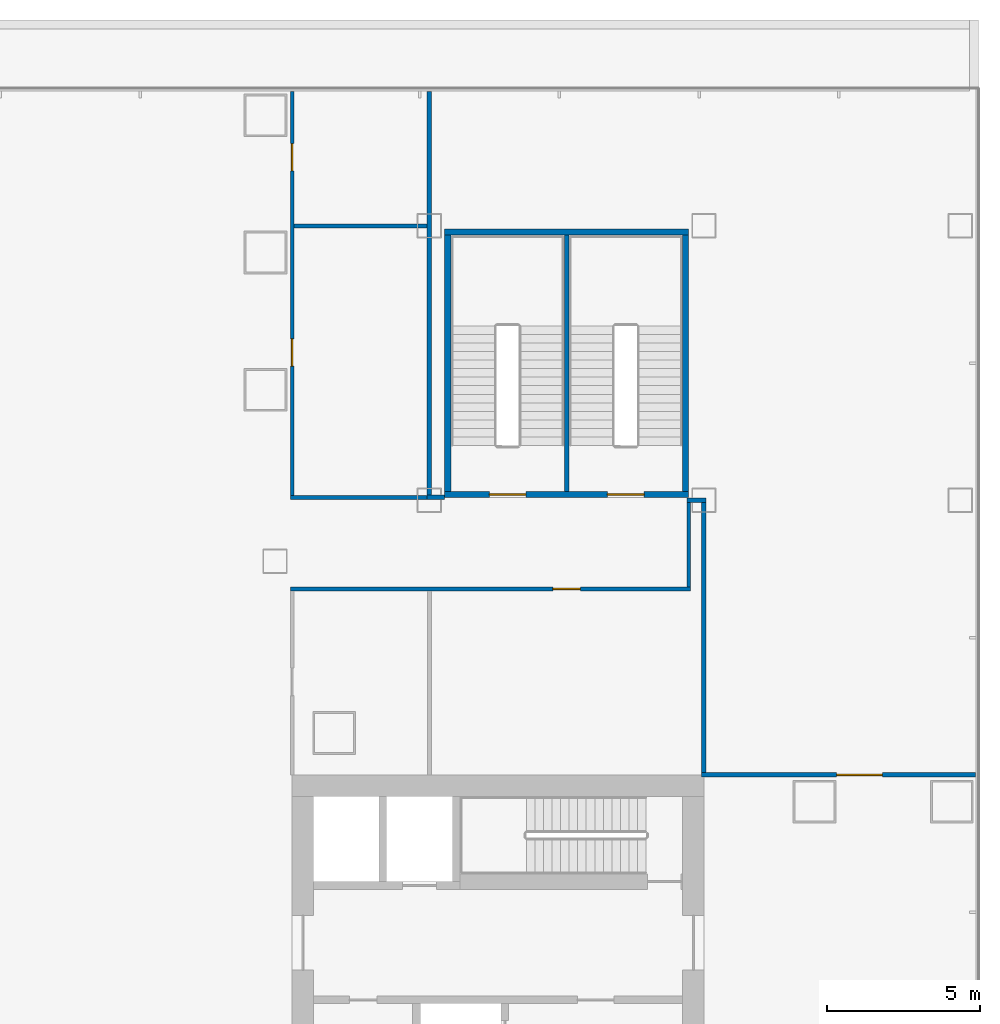
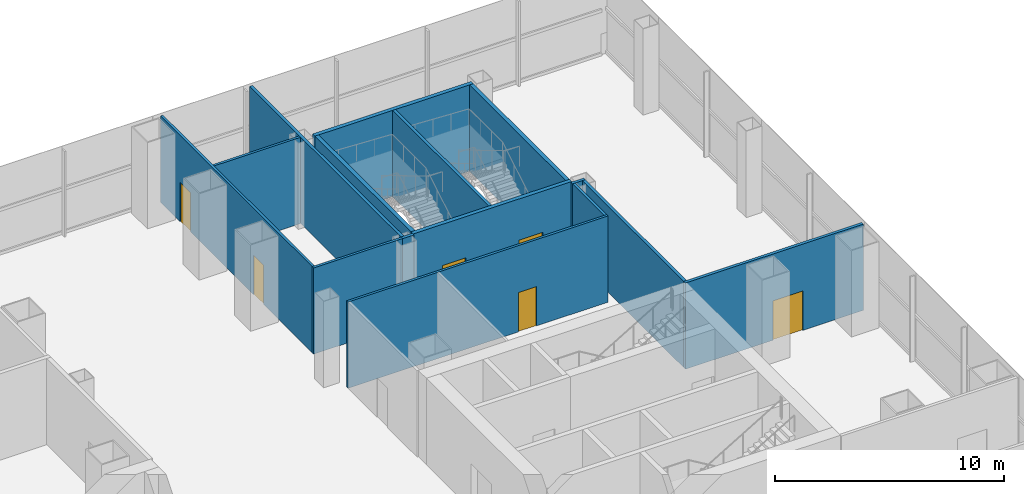
# One storey, part 26 of 33: 15 walls, 6 doors, 6 openings.
"""IFC4 building model written with IfcOpenShell, lengths in metres."""

import ifcopenshell
import ifcopenshell.guid

model = None  # the IFC model being written
_history = None  # IfcOwnerHistory: only IFC2X3 demands one
_inside = {}  # id of a spatial element -> (the spatial element, [elements in it])
_under = {}  # id of a project, library or spatial element -> (it, [spatial elements below it])
_declared = {}  # id of a project -> (the project, [libraries it declares])
_typed = {}  # id of a type object -> (the type object, [elements of that type])
_made_of = {}  # id of a material, layer set ... -> (it, [elements and type objects made of it])


def new_model(schema):
    """Start an empty IFC model of exactly this schema.

    Asked for "IFC4X3", IfcOpenShell would pick the latest addendum, in which some entities
    have other attributes; the version numbers below select the first issue.
    IFC2X3 requires an IfcOwnerHistory on every rooted entity: one is made here for all.
    """
    global model, _history
    if schema == "IFC4X3":
        model = ifcopenshell.file(schema_version=(4, 3, 0, 0))
    else:
        model = ifcopenshell.file(schema=schema)
    _inside.clear()
    _under.clear()
    _declared.clear()
    _typed.clear()
    _made_of.clear()
    _history = None
    if model.schema == "IFC2X3":
        org = make("IfcOrganization", Name="unknown")
        user = make(
            "IfcPersonAndOrganization",
            ThePerson=make("IfcPerson", FamilyName="unknown"),
            TheOrganization=org,
        )
        app = make(
            "IfcApplication",
            ApplicationDeveloper=org,
            Version="unknown",
            ApplicationFullName="unknown",
            ApplicationIdentifier="unknown",
        )
        _history = make(
            "IfcOwnerHistory",
            OwningUser=user,
            OwningApplication=app,
            ChangeAction="ADDED",
            CreationDate=0,
        )
    return model


def make(cls, **values):
    """One entity of the class cls with the attributes given. An attribute that is None is left unset."""
    return model.create_entity(
        cls, **{name: value for name, value in values.items() if value is not None}
    )


def rooted(cls, **values):
    """An entity with a GlobalId (a new one), such as an element, a storey or a relation."""
    return make(cls, GlobalId=ifcopenshell.guid.new(), OwnerHistory=_history, **values)


def si_unit(unit_type, name, prefix=None):
    """IfcSIUnit, for example si_unit("LENGTHUNIT", "METRE", prefix="MILLI")."""
    return make("IfcSIUnit", UnitType=unit_type, Prefix=prefix, Name=name)


def assignment(units):
    """IfcUnitAssignment: the units of a project."""
    return None if units is None else make("IfcUnitAssignment", Units=units)


def point(xyz):
    """IfcCartesianPoint."""
    return None if xyz is None else make("IfcCartesianPoint", Coordinates=xyz)


def direction(xyz):
    """IfcDirection."""
    return None if xyz is None else make("IfcDirection", DirectionRatios=xyz)


def frame(location, z_axis=None, x_axis=None):
    """IfcAxis2Placement3D, a coordinate frame: its origin and axes. An axis left out is left unset."""
    return make(
        "IfcAxis2Placement3D",
        Location=point(location),
        Axis=direction(z_axis),
        RefDirection=direction(x_axis),
    )


def frame_2d(location, x_axis=None):
    """IfcAxis2Placement2D, a coordinate frame in the plane: its origin and x axis."""
    return make(
        "IfcAxis2Placement2D", Location=point(location), RefDirection=direction(x_axis)
    )


def origin():
    """The frame at (0, 0, 0) with its axes left unset."""
    return frame((0.0, 0.0, 0.0))


def place(relative_to, where):
    """IfcLocalPlacement: puts the frame where relative to a parent placement (None: the world)."""
    return make(
        "IfcLocalPlacement", PlacementRelTo=relative_to, RelativePlacement=where
    )


def context(
    kind, dimensions, precision=None, world=None, true_north=None, identifier=None
):
    """IfcGeometricRepresentationContext, for example the 3D "Model" context."""
    return make(
        "IfcGeometricRepresentationContext",
        ContextIdentifier=identifier,
        ContextType=kind,
        CoordinateSpaceDimension=dimensions,
        Precision=precision,
        WorldCoordinateSystem=world,
        TrueNorth=true_north,
    )


def subcontext(parent, identifier, kind, view, scale=None):
    """IfcGeometricRepresentationSubContext, for example "Body" below "Model"."""
    return make(
        "IfcGeometricRepresentationSubContext",
        ContextIdentifier=identifier,
        ContextType=kind,
        ParentContext=parent,
        TargetScale=scale,
        TargetView=view,
    )


def project(units=None, contexts=None):
    """IfcProject with its units and contexts."""
    return rooted(
        "IfcProject",
        Name="project",
        RepresentationContexts=contexts,
        UnitsInContext=assignment(units),
    )


def spatial(cls, under=None, at=None, **own):
    """A site, building, storey or space (cls), placed at a placement, below another one or the project."""
    s = rooted(cls, ObjectPlacement=at, **own)
    if under is not None:
        _under.setdefault(under.id(), (under, []))[1].append(s)
    return s


def profile(cls, at=None, kind="AREA", **sizes):
    """A parametric profile (cls). Its sizes go by their IFC names, for example OverallWidth=200.0."""
    return make(cls, ProfileType=kind, Position=at, **sizes)


def rectangle(**sizes):
    """IfcRectangleProfileDef."""
    return profile("IfcRectangleProfileDef", **sizes)


def extrude(swept, where, along, depth):
    """IfcExtrudedAreaSolid: the profile swept, set in the frame where, extruded along a direction by depth."""
    return make(
        "IfcExtrudedAreaSolid",
        SweptArea=swept,
        Position=where,
        ExtrudedDirection=direction(along),
        Depth=depth,
    )


def shape(context_of_items, identifier, shape_type, items):
    """IfcShapeRepresentation: the items that make up one representation, for example the "Body"."""
    return make(
        "IfcShapeRepresentation",
        ContextOfItems=context_of_items,
        RepresentationIdentifier=identifier,
        RepresentationType=shape_type,
        Items=items,
    )


def material(Name=None, Category=None):
    """IfcMaterial."""
    return make("IfcMaterial", Name=Name, Category=Category)


def layer(
    of_material, thickness, ventilated=None, Name=None, Category=None, Priority=None
):
    """IfcMaterialLayer: one layer of a wall or slab, of a material (None: an air gap)."""
    return make(
        "IfcMaterialLayer",
        Material=of_material,
        LayerThickness=thickness,
        IsVentilated=ventilated,
        Name=Name,
        Category=Category,
        Priority=Priority,
    )


def layer_set(layers, Name=None):
    """IfcMaterialLayerSet."""
    return make("IfcMaterialLayerSet", MaterialLayers=layers, LayerSetName=Name)


def made_of(thing, what):
    """Note that an element or type object is made of a material, layer set ...; save() writes the relation."""
    if what is not None:
        _made_of.setdefault(what.id(), (what, []))[1].append(thing)
    return thing


def type_object(cls, material=None, **own):
    """A type object (cls), such as IfcWallType, which elements share."""
    return made_of(rooted(cls, **own), material)


def element(
    cls,
    number,
    at=None,
    inside=None,
    cuts=None,
    type_object=None,
    material=None,
    context=None,
    identifier="Body",
    shape_type=None,
    held_by="IfcProductDefinitionShape",
    body=None,
    shapes=None,
    **own,
):
    """One element of the class cls, such as IfcWall. Its Tag is "e" and its number.

    at: its placement. inside: the storey or other place that contains it. cuts: it is an
    opening in that element (IfcRelVoidsElement). A single representation is given by context,
    identifier, shape_type and body (its items); several are given by shapes. held_by: the class
    of the entity that holds the representations. save() writes the other relations.
    """
    e = rooted(cls, Tag="e%d" % number, ObjectPlacement=at, **own)
    if body is not None:
        shapes = [shape(context, identifier, shape_type, body)]
    if shapes is not None:
        e.Representation = make(held_by, Representations=shapes)
    if inside is not None:
        _inside.setdefault(inside.id(), (inside, []))[1].append(e)
    if cuts is not None:
        rooted(
            "IfcRelVoidsElement", RelatingBuildingElement=cuts, RelatedOpeningElement=e
        )
    if type_object is not None:
        _typed.setdefault(type_object.id(), (type_object, []))[1].append(e)
    return made_of(e, material)


def fill(opening, filler):
    """IfcRelFillsElement: the door or window that sits in an opening."""
    return rooted(
        "IfcRelFillsElement",
        RelatingOpeningElement=opening,
        RelatedBuildingElement=filler,
    )


def aggregate(whole, parts):
    """IfcRelAggregates: a whole, such as a stair, and the parts it consists of."""
    return rooted("IfcRelAggregates", RelatingObject=whole, RelatedObjects=parts)


def save(model, path):
    """Write the relations noted so far, then the file.

    IfcRelAggregates (storeys below a building ...), IfcRelContainedInSpatialStructure (elements
    in a storey), IfcRelDefinesByType, IfcRelAssociatesMaterial and IfcRelDeclares: one each for
    every whole, place, type object, material and project.
    """
    for whole, parts in _under.values():
        aggregate(whole, parts)
    for where, things in _inside.values():
        rooted(
            "IfcRelContainedInSpatialStructure",
            RelatedElements=things,
            RelatingStructure=where,
        )
    for kind, things in _typed.values():
        rooted("IfcRelDefinesByType", RelatedObjects=things, RelatingType=kind)
    for what, things in _made_of.values():
        rooted("IfcRelAssociatesMaterial", RelatedObjects=things, RelatingMaterial=what)
    for by, libraries in _declared.values():
        rooted("IfcRelDeclares", RelatingContext=by, RelatedDefinitions=libraries)
    model.write(path)


model = new_model("IFC4")

# Units and contexts
model_context = context("Model", 3, precision=1e-05, world=origin(), true_north=direction((0.0, 1.0)))
body_context = subcontext(model_context, "Body", "Model", "MODEL_VIEW")
ifc_project = project(units=[si_unit("LENGTHUNIT", "METRE"), si_unit("AREAUNIT", "SQUARE_METRE"), si_unit("VOLUMEUNIT", "CUBIC_METRE"), si_unit("PLANEANGLEUNIT", "RADIAN"), si_unit("MASSUNIT", "GRAM", prefix="KILO")], contexts=[model_context])

# Site, building, storey
site_placement = place(None, origin())
site = spatial("IfcSite", under=ifc_project, at=site_placement, CompositionType="ELEMENT")
building_placement = place(site_placement, origin())
building = spatial("IfcBuilding", under=site, at=building_placement, Name="Shamsa Quay Exchange Towers", CompositionType="ELEMENT")
storey_placement = place(building_placement, frame((0.0, 0.0, 18.5)))
storey = spatial("IfcBuildingStorey", under=building, at=storey_placement, Name="L03", CompositionType="ELEMENT", Elevation=18.5)

# Wall, openings, doors
ifc_material_1 = material(Name="Laminated fire-resisting glass in a metal frame", Category="glass")
ifc_layer_1 = layer(ifc_material_1, 0.125)
ifc_layer_set_1 = layer_set([ifc_layer_1], Name="Glazed partition 125 mm EI 60")
wall_type_1 = type_object("IfcWallType", Name="Glazed partition 125 mm EI 60", PredefinedType="PARTITIONING", material=ifc_layer_set_1)
wall_1_placement = place(storey_placement, frame((40.5, 29.155029296875, 0.0), z_axis=(0.0, 0.0, 1.0), x_axis=(0.0, -1.0, 0.0)))
wall_1 = element("IfcWall", 1, at=wall_1_placement, inside=storey, type_object=wall_type_1, Name="Partition PD-L03-W16", PredefinedType="PARTITIONING", context=body_context, shape_type="SweptSolid", body=[
    extrude(rectangle(XDim=13.242919921875, YDim=0.125, at=frame_2d((6.62158203125, 0.0))), origin(), (0.0, 0.0, 1.0), 4.60009765625),
])
opening_1_placement = place(wall_1_placement, frame((1.705078125, 0.0, 0.0)))
opening_1 = element("IfcOpeningElement", 2, at=opening_1_placement, cuts=wall_1, Name="Opening PD-L03-D37", PredefinedType="OPENING", context=body_context, shape_type="SweptSolid", body=[
    extrude(rectangle(XDim=0.89990234375, YDim=2.10009765625, at=frame_2d((0.449951171875, 1.050048828125))), frame((0.0, 0.072509765625, 0.0), z_axis=(0.0, -1.0, 0.0), x_axis=(1.0, 0.0, 0.0)), (0.0, 0.0, 1.0), 0.14501953125),
])
opening_2_placement = place(wall_1_placement, frame((8.105224609375, 0.0, 0.0)))
opening_2 = element("IfcOpeningElement", 3, at=opening_2_placement, cuts=wall_1, Name="Opening PD-L03-D38", PredefinedType="OPENING", context=body_context, shape_type="SweptSolid", body=[
    extrude(rectangle(XDim=0.89990234375, YDim=2.10009765625, at=frame_2d((0.449951171875, 1.050048828125))), frame((0.0, 0.072509765625, 0.0), z_axis=(0.0, -1.0, 0.0), x_axis=(1.0, 0.0, 0.0)), (0.0, 0.0, 1.0), 0.14501953125),
])
ifc_material_2 = material(Name="Timber door leaf in a metal frame", Category="wood")
door_type_1 = type_object("IfcDoorType", Name="Door 900x2100 FD30S", OperationType="NOTDEFINED", PredefinedType="DOOR", material=ifc_material_2)
door_1_placement = place(opening_1_placement, origin())
door_1 = element("IfcDoor", 4, at=door_1_placement, inside=storey, type_object=door_type_1, Name="Door PD-L03-D37", OperationType="SINGLE_SWING_LEFT", OverallHeight=2.10009765625, OverallWidth=0.89990234375, PredefinedType="DOOR", context=body_context, shape_type="SweptSolid", body=[
    extrude(rectangle(XDim=0.89990234375, YDim=2.10009765625, at=frame_2d((0.449951171875, 1.050048828125))), frame((0.0, 0.02490234375, 0.0), z_axis=(0.0, -1.0, 0.0), x_axis=(1.0, 0.0, 0.0)), (0.0, 0.0, 1.0), 0.050048828125),
])
fill(opening_1, door_1)
door_2_placement = place(opening_2_placement, origin())
door_2 = element("IfcDoor", 5, at=door_2_placement, inside=storey, type_object=door_type_1, Name="Door PD-L03-D38", OperationType="SINGLE_SWING_LEFT", OverallHeight=2.10009765625, OverallWidth=0.89990234375, PredefinedType="DOOR", context=body_context, shape_type="SweptSolid", body=[
    extrude(rectangle(XDim=0.89990234375, YDim=2.10009765625, at=frame_2d((0.449951171875, 1.050048828125))), frame((0.0, 0.02490234375, 0.0), z_axis=(0.0, -1.0, 0.0), x_axis=(1.0, 0.0, 0.0)), (0.0, 0.0, 1.0), 0.050048828125),
])
fill(opening_2, door_2)

# Wall, opening, door
wall_2_placement = place(storey_placement, frame((53.5625, 12.849609375, 0.0), z_axis=(0.0, 0.0, 1.0), x_axis=(-1.0, 0.0, 0.0)))
wall_2 = element("IfcWall", 6, at=wall_2_placement, inside=storey, type_object=wall_type_1, Name="Partition PD-L03-W39", PredefinedType="PARTITIONING", context=body_context, shape_type="SweptSolid", body=[
    extrude(rectangle(XDim=13.125, YDim=0.125, at=frame_2d((6.5625, 0.0))), origin(), (0.0, 0.0, 1.0), 4.60009765625),
])
opening_3_placement = place(wall_2_placement, frame((3.612548828125, 0.0, 0.0)))
opening_3 = element("IfcOpeningElement", 7, at=opening_3_placement, cuts=wall_2, Name="Opening PD-L03-D40", PredefinedType="OPENING", context=body_context, shape_type="SweptSolid", body=[
    extrude(rectangle(XDim=0.89990234375, YDim=2.10009765625, at=frame_2d((0.449951171875, 1.050048828125))), frame((0.0, 0.072509765625, 0.0), z_axis=(0.0, -1.0, 0.0), x_axis=(1.0, 0.0, 0.0)), (0.0, 0.0, 1.0), 0.14501953125),
])
door_3_placement = place(opening_3_placement, origin())
door_3 = element("IfcDoor", 8, at=door_3_placement, inside=storey, type_object=door_type_1, Name="Door PD-L03-D40", OperationType="SINGLE_SWING_RIGHT", OverallHeight=2.10009765625, OverallWidth=0.89990234375, PredefinedType="DOOR", context=body_context, shape_type="SweptSolid", body=[
    extrude(rectangle(XDim=0.89990234375, YDim=2.10009765625, at=frame_2d((0.449951171875, 1.050048828125))), frame((0.0, 0.02490234375, 0.0), z_axis=(0.0, -1.0, 0.0), x_axis=(1.0, 0.0, 0.0)), (0.0, 0.0, 1.0), 0.050048828125),
])
fill(opening_3, door_3)

# Walls
wall_3_placement = place(storey_placement, frame((53.5, 15.675048828125, 0.0), z_axis=(0.0, 0.0, 1.0), x_axis=(0.0, -1.0, 0.0)))
element("IfcWall", 9, at=wall_3_placement, inside=storey, type_object=wall_type_1, Name="Partition PD-L03-W46", PredefinedType="PARTITIONING", context=body_context, shape_type="SweptSolid", body=[
    extrude(rectangle(XDim=2.762939453125, YDim=0.125, at=frame_2d((1.38134765625, 0.0))), origin(), (0.0, 0.0, 1.0), 4.60009765625),
])
wall_4_placement = place(storey_placement, frame((40.4375, 15.849609375, 0.0)))
element("IfcWall", 10, at=wall_4_placement, inside=storey, type_object=wall_type_1, Name="Partition PD-L03-W47", PredefinedType="PARTITIONING", context=body_context, shape_type="SweptSolid", body=[
    extrude(rectangle(XDim=4.637451171875, YDim=0.125, at=frame_2d((2.31884765625, 0.0))), origin(), (0.0, 0.0, 1.0), 4.60009765625),
])
wall_5_placement = place(storey_placement, frame((44.925048828125, 24.75, 0.0), z_axis=(0.0, 0.0, 1.0), x_axis=(-1.0, 0.0, 0.0)))
element("IfcWall", 11, at=wall_5_placement, inside=storey, type_object=wall_type_1, Name="Partition PD-L03-W102", PredefinedType="PARTITIONING", context=body_context, shape_type="SweptSolid", body=[
    extrude(rectangle(XDim=4.362548828125, YDim=0.125, at=frame_2d((2.18115234375, 0.0))), origin(), (0.0, 0.0, 1.0), 4.60009765625),
])

# Wall, opening, door
ifc_material_3 = material(Name="Gypsum board partition on metal studs")
ifc_layer_2 = layer(ifc_material_3, 0.14990234375)
ifc_layer_set_2 = layer_set([ifc_layer_2], Name="Partition 150 mm EI 60")
wall_type_2 = type_object("IfcWallType", Name="Partition 150 mm EI 60", PredefinedType="PARTITIONING", material=ifc_layer_set_2)
wall_6_placement = place(storey_placement, frame((53.925048828125, 6.75, 0.0)))
wall_6 = element("IfcWall", 12, at=wall_6_placement, inside=storey, type_object=wall_type_2, Name="Partition PD-L03-W34", PredefinedType="PARTITIONING", context=body_context, shape_type="SweptSolid", body=[
    extrude(rectangle(XDim=8.97998046875, YDim=0.14990234375, at=frame_2d((4.489990234375, 0.0))), origin(), (0.0, 0.0, 1.0), 4.60009765625),
])
opening_4_placement = place(wall_6_placement, frame((4.425048828125, 0.0, 0.0)))
opening_4 = element("IfcOpeningElement", 13, at=opening_4_placement, cuts=wall_6, Name="Opening PD-L03-D43", PredefinedType="OPENING", context=body_context, shape_type="SweptSolid", body=[
    extrude(rectangle(XDim=1.5, YDim=2.10009765625, at=frame_2d((0.75, 1.050048828125))), frame((0.0, 0.0849609375, 0.0), z_axis=(0.0, -1.0, 0.0), x_axis=(1.0, 0.0, 0.0)), (0.0, 0.0, 1.0), 0.169921875),
])
door_type_2 = type_object("IfcDoorType", Name="Door 1500x2100 FD30S pair", OperationType="NOTDEFINED", PredefinedType="DOOR", material=ifc_material_2)
door_4_placement = place(opening_4_placement, origin())
door_4 = element("IfcDoor", 14, at=door_4_placement, inside=storey, type_object=door_type_2, Name="Door PD-L03-D43", OperationType="DOUBLE_DOOR_SINGLE_SWING", OverallHeight=2.10009765625, OverallWidth=1.5, PredefinedType="DOOR", context=body_context, shape_type="SweptSolid", body=[
    extrude(rectangle(XDim=1.5, YDim=2.10009765625, at=frame_2d((0.75, 1.050048828125))), frame((0.0, 0.02490234375, 0.0), z_axis=(0.0, -1.0, 0.0), x_axis=(1.0, 0.0, 0.0)), (0.0, 0.0, 1.0), 0.050048828125),
])
fill(opening_4, door_4)

# Walls
wall_7_placement = place(storey_placement, frame((44.925048828125, 15.849609375, 0.0)))
element("IfcWall", 15, at=wall_7_placement, inside=storey, type_object=wall_type_2, Name="Partition PD-L03-W38", PredefinedType="PARTITIONING", context=body_context, shape_type="SweptSolid", body=[
    extrude(rectangle(XDim=0.574951171875, YDim=0.14990234375, at=frame_2d((0.28759765625, 0.0))), origin(), (0.0, 0.0, 1.0), 4.60009765625),
])
wall_8_placement = place(storey_placement, frame((53.4375, 15.75, 0.0)))
element("IfcWall", 16, at=wall_8_placement, inside=storey, type_object=wall_type_2, Name="Partition PD-L03-W63", PredefinedType="PARTITIONING", context=body_context, shape_type="SweptSolid", body=[
    extrude(rectangle(XDim=0.637451171875, YDim=0.14990234375, at=frame_2d((0.31884765625, 0.0))), origin(), (0.0, 0.0, 1.0), 4.60009765625),
])
wall_9_placement = place(storey_placement, frame((45.0, 29.155029296875, 0.0), z_axis=(0.0, 0.0, 1.0), x_axis=(0.0, -1.0, 0.0)))
element("IfcWall", 17, at=wall_9_placement, inside=storey, type_object=wall_type_2, Name="Partition PD-L03-W76", PredefinedType="PARTITIONING", context=body_context, shape_type="SweptSolid", body=[
    extrude(rectangle(XDim=13.23046875, YDim=0.14990234375, at=frame_2d((6.615234375, 0.0))), origin(), (0.0, 0.0, 1.0), 4.60009765625),
])
wall_10_placement = place(storey_placement, frame((54.0, 15.675048828125, 0.0), z_axis=(0.0, 0.0, 1.0), x_axis=(0.0, -1.0, 0.0)))
element("IfcWall", 18, at=wall_10_placement, inside=storey, type_object=wall_type_2, Name="Partition PD-L03-W79", PredefinedType="PARTITIONING", context=body_context, shape_type="SweptSolid", body=[
    extrude(rectangle(XDim=8.85009765625, YDim=0.14990234375, at=frame_2d((4.425048828125, 0.0))), origin(), (0.0, 0.0, 1.0), 4.60009765625),
])

# Wall, openings, doors
ifc_material_4 = material(Name="Concrete C50/60", Category="concrete")
ifc_layer_3 = layer(ifc_material_4, 0.199951171875)
ifc_layer_set_3 = layer_set([ifc_layer_3], Name="STAIR ENCLOSURE WALL 200 C50/60")
wall_type_3 = type_object("IfcWallType", Name="STAIR ENCLOSURE WALL 200 C50/60", PredefinedType="SHEAR", material=ifc_layer_set_3)
wall_11_placement = place(storey_placement, frame((45.5, 15.949951171875, 0.0)))
wall_11 = element("IfcWall", 19, at=wall_11_placement, inside=storey, type_object=wall_type_3, Name="Stair enclosure wall PS4 inward", PredefinedType="SHEAR", context=body_context, shape_type="SweptSolid", body=[
    extrude(rectangle(XDim=8.0, YDim=0.199951171875, at=frame_2d((4.0, 0.0))), origin(), (0.0, 0.0, 1.0), 4.60009765625),
])
opening_5_placement = place(wall_11_placement, frame((1.46240234375, 0.0, 0.0)))
opening_5 = element("IfcOpeningElement", 20, at=opening_5_placement, cuts=wall_11, Name="Opening PS4A-L03-SD01", PredefinedType="OPENING", context=body_context, shape_type="SweptSolid", body=[
    extrude(rectangle(XDim=1.199951171875, YDim=2.39990234375, at=frame_2d((0.60009765625, 1.199951171875))), frame((0.0, 0.10986328125, 0.0), z_axis=(0.0, -1.0, 0.0), x_axis=(1.0, 0.0, 0.0)), (0.0, 0.0, 1.0), 0.219970703125),
])
opening_6_placement = place(wall_11_placement, frame((5.33740234375, 0.0, 0.0)))
opening_6 = element("IfcOpeningElement", 21, at=opening_6_placement, cuts=wall_11, Name="Opening PS4B-L03-SD01", PredefinedType="OPENING", context=body_context, shape_type="SweptSolid", body=[
    extrude(rectangle(XDim=1.199951171875, YDim=2.39990234375, at=frame_2d((0.60009765625, 1.199951171875))), frame((0.0, 0.10986328125, 0.0), z_axis=(0.0, -1.0, 0.0), x_axis=(1.0, 0.0, 0.0)), (0.0, 0.0, 1.0), 0.219970703125),
])
ifc_material_5 = material(Name="Steel, fire rated", Category="steel")
door_type_3 = type_object("IfcDoorType", Name="PODIUM STAIR DOOR 1200", OperationType="SINGLE_SWING_LEFT", PredefinedType="DOOR", material=ifc_material_5)
door_5_placement = place(opening_5_placement, origin())
door_5 = element("IfcDoor", 22, at=door_5_placement, inside=storey, type_object=door_type_3, Name="PS4A-L03-SD01", OperationType="SINGLE_SWING_LEFT", OverallHeight=2.39990234375, OverallWidth=1.199951171875, PredefinedType="DOOR", context=body_context, shape_type="SweptSolid", body=[
    extrude(rectangle(XDim=1.199951171875, YDim=2.39990234375, at=frame_2d((0.60009765625, 1.199951171875))), frame((0.0, 0.02490234375, 0.0), z_axis=(0.0, -1.0, 0.0), x_axis=(1.0, 0.0, 0.0)), (0.0, 0.0, 1.0), 0.050048828125),
])
fill(opening_5, door_5)
door_6_placement = place(opening_6_placement, origin())
door_6 = element("IfcDoor", 23, at=door_6_placement, inside=storey, type_object=door_type_3, Name="PS4B-L03-SD01", OperationType="SINGLE_SWING_RIGHT", OverallHeight=2.39990234375, OverallWidth=1.199951171875, PredefinedType="DOOR", context=body_context, shape_type="SweptSolid", body=[
    extrude(rectangle(XDim=1.199951171875, YDim=2.39990234375, at=frame_2d((0.60009765625, 1.199951171875))), frame((0.0, 0.02490234375, 0.0), z_axis=(0.0, -1.0, 0.0), x_axis=(1.0, 0.0, 0.0)), (0.0, 0.0, 1.0), 0.050048828125),
])
fill(opening_6, door_6)

# Walls
wall_12_placement = place(storey_placement, frame((45.5, 24.550048828125, 0.0)))
element("IfcWall", 24, at=wall_12_placement, inside=storey, type_object=wall_type_3, Name="Stair enclosure wall PS4 outward", PredefinedType="SHEAR", context=body_context, shape_type="SweptSolid", body=[
    extrude(rectangle(XDim=8.0, YDim=0.199951171875, at=frame_2d((4.0, 0.0))), origin(), (0.0, 0.0, 1.0), 4.60009765625),
])
for number, where, z_axis, x_axis, name in (
    (25, (45.60009765625, 16.050048828125, 0.0), (0.0, 0.0, 1.0), (0.0, 1.0, 0.0), "Stair enclosure wall PS4 west"),
    (26, (53.39990234375, 16.050048828125, 0.0), (0.0, 0.0, 1.0), (0.0, 1.0, 0.0), "Stair enclosure wall PS4 east"),
):
    element("IfcWall", number, at=place(storey_placement, frame(where, z_axis=z_axis, x_axis=x_axis)), inside=storey, type_object=wall_type_3, Name=name, PredefinedType="SHEAR", context=body_context, shape_type="SweptSolid", body=[
        extrude(rectangle(XDim=8.39990234375, YDim=0.199951171875, at=frame_2d((4.199951171875, 0.0))), origin(), (0.0, 0.0, 1.0), 4.60009765625),
    ])
ifc_layer_4 = layer(ifc_material_4, 0.14990234375)
ifc_layer_set_4 = layer_set([ifc_layer_4], Name="STAIR PARTITION WALL 150 C50/60")
wall_type_4 = type_object("IfcWallType", Name="STAIR PARTITION WALL 150 C50/60", PredefinedType="SHEAR", material=ifc_layer_set_4)
wall_13_placement = place(storey_placement, frame((49.5, 16.050048828125, 0.0), z_axis=(0.0, 0.0, 1.0), x_axis=(0.0, 1.0, 0.0)))
element("IfcWall", 27, at=wall_13_placement, inside=storey, type_object=wall_type_4, Name="Stair enclosure wall PS4 between the stairs", PredefinedType="SHEAR", context=body_context, shape_type="SweptSolid", body=[
    extrude(rectangle(XDim=8.39990234375, YDim=0.14990234375, at=frame_2d((4.199951171875, 0.0))), origin(), (0.0, 0.0, 1.0), 4.60009765625),
])

save(model, "model.ifc")
